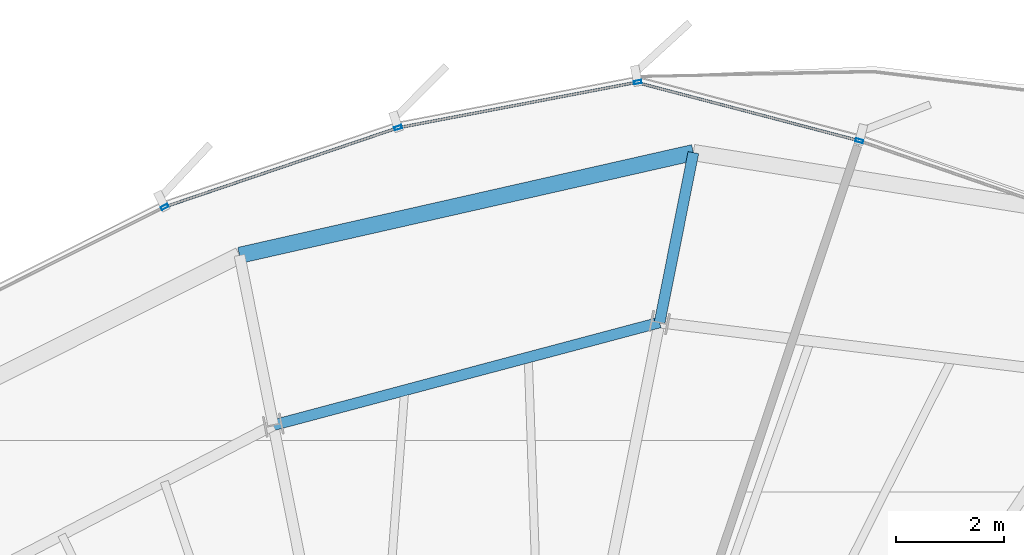
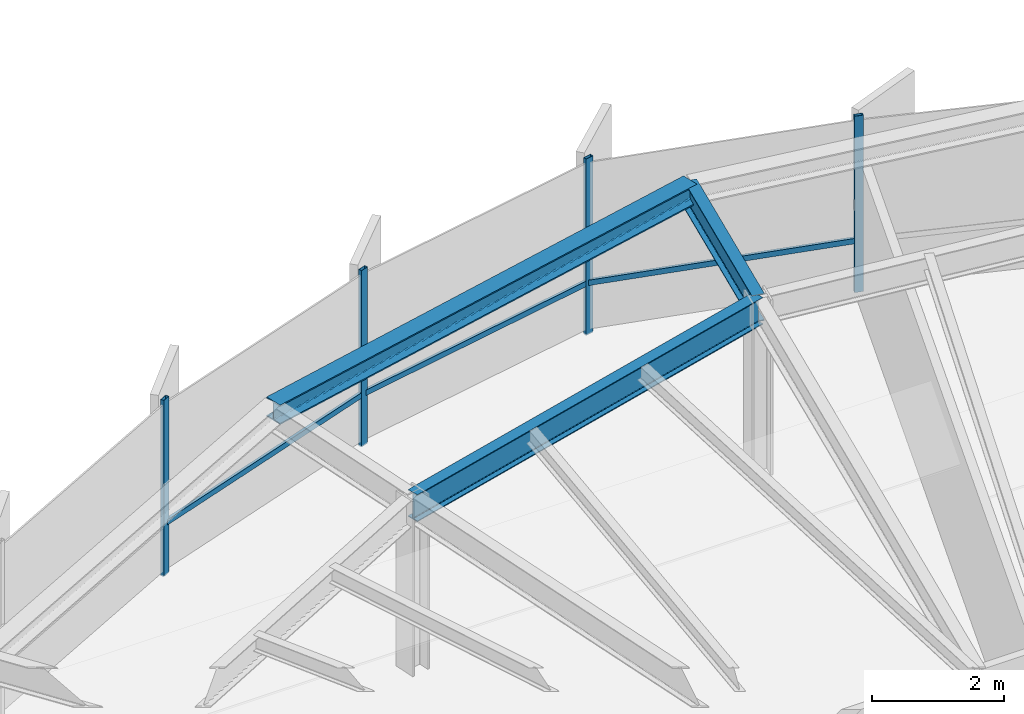
# One storey, part 23 of 34: 7 members, 3 beams, 1 element without a shape of its own.
"""IFC4 building model written with IfcOpenShell, lengths in metres."""

from ifc_helpers import new_model, si_unit, direction, frame, origin, origin_2d, place, context, subcontext, project, spatial, hollow_rectangle, i_section, extrude, source, transform, mapped, material, layer, layer_set, material_profile, profile_set, type_object, element, aggregate, save


model = new_model("IFC4")

# Units and contexts
model_context = context("Model", 3, precision=1e-05, world=origin(), true_north=direction((0.0, 1.0)))
body_context = subcontext(model_context, "Body", "Model", "MODEL_VIEW")
ifc_project = project(units=[si_unit("LENGTHUNIT", "METRE"), si_unit("AREAUNIT", "SQUARE_METRE"), si_unit("VOLUMEUNIT", "CUBIC_METRE"), si_unit("PLANEANGLEUNIT", "RADIAN"), si_unit("MASSUNIT", "GRAM", prefix="KILO"), si_unit("THERMODYNAMICTEMPERATUREUNIT", "KELVIN")], contexts=[model_context])

# Site, building, storey
site_placement = place(None, origin())
site = spatial("IfcSite", under=ifc_project, at=site_placement, CompositionType="ELEMENT")
building_placement = place(site_placement, origin())
building = spatial("IfcBuilding", under=site, at=building_placement, Name="Kethvar Cultural Tower", CompositionType="ELEMENT")
storey_placement = place(building_placement, frame((0.0, 0.0, 190.39990234375)))
storey = spatial("IfcBuildingStorey", under=building, at=storey_placement, Name="L49", CompositionType="ELEMENT", Elevation=190.39990234375)

# Beams
ifc_material_1 = material(Name="Steel S355J2", Category="steel")
ifc_material_profile_1 = material_profile(ifc_material_1, i_section(OverallWidth=0.199951171875, OverallDepth=0.5, WebThickness=0.01025390625, FlangeThickness=0.01611328125, FilletRadius=0.02099609375, at=origin_2d()), Name="Steel S355J2 — IPE500")
ifc_profile_set_1 = profile_set([ifc_material_profile_1], Name="Steel S355J2 — IPE500")
beam_type_1 = type_object("IfcBeamType", Name="BM-IPE500", PredefinedType="BEAM", material=ifc_profile_set_1)
shared_shape_1 = source(origin(), body_context, "Body", "SweptSolid", [
    extrude(i_section(OverallWidth=0.199951171875, OverallDepth=0.5, WebThickness=0.01025390625, FlangeThickness=0.01611328125, FilletRadius=0.02099609375, at=origin_2d()), origin(), (0.0, 0.0, 1.0), 3.199951171875),
])
beam_1_placement = place(storey_placement, frame((50.556884765625, 46.6875, 3.008056640625), z_axis=(0.195088965533, 0.980785550224, 0.0), x_axis=(-0.980785550224, 0.195088965533, 0.0)))
element("IfcBeam", 1, at=beam_1_placement, inside=storey, type_object=beam_type_1, Name="L49 Perimeter Cantilever Beam RC-04", PredefinedType="BEAM", context=body_context, shape_type="MappedRepresentation", body=[
    mapped(shared_shape_1, transform((0.0, 0.0, 0.0), scale=1.0)),
])
shared_shape_2 = source(origin(), body_context, "Body", "SweptSolid", [
    extrude(i_section(OverallWidth=0.199951171875, OverallDepth=0.5, WebThickness=0.01025390625, FlangeThickness=0.01611328125, FilletRadius=0.02099609375, at=origin_2d()), origin(), (0.0, 0.0, 1.0), 7.38427734375),
])
beam_2_placement = place(storey_placement, frame((50.556884765625, 46.6875, 3.008056640625), z_axis=(-0.966396628298, -0.257055552002, 0.0), x_axis=(0.257055552002, -0.966396628298, 0.0)))
element("IfcBeam", 2, at=beam_2_placement, inside=storey, type_object=beam_type_1, Name="L49 Column Ring Tie Beam CR-04", PredefinedType="BEAM", context=body_context, shape_type="MappedRepresentation", body=[
    mapped(shared_shape_2, transform((0.0, 0.0, 0.0), scale=1.0)),
])
ifc_material_profile_2 = material_profile(ifc_material_1, i_section(OverallWidth=0.300048828125, OverallDepth=0.360107421875, WebThickness=0.012451171875, FlangeThickness=0.0224609375, FilletRadius=0.027099609375, at=origin_2d()), Name="Steel S355J2 — HEB360")
ifc_profile_set_2 = profile_set([ifc_material_profile_2], Name="Steel S355J2 — HEB360")
beam_type_2 = type_object("IfcBeamType", Name="BM-SP360", PredefinedType="SPANDREL", material=ifc_profile_set_2)
shared_shape_3 = source(origin(), body_context, "Body", "SweptSolid", [
    extrude(i_section(OverallWidth=0.300048828125, OverallDepth=0.360107421875, WebThickness=0.012451171875, FlangeThickness=0.0224609375, FilletRadius=0.027099609375, at=origin_2d()), origin(), (0.0, 0.0, 1.0), 8.596923828125),
])
beam_3_placement = place(storey_placement, frame((51.18115234375, 49.825927734375, 3.078125), z_axis=(-0.975319414912, -0.2207986388, 0.0), x_axis=(0.2207986388, -0.975319414912, 0.0)))
element("IfcBeam", 3, at=beam_3_placement, inside=storey, type_object=beam_type_2, Name="L49 Perimeter Spandrel Beam SP-04", PredefinedType="SPANDREL", context=body_context, shape_type="MappedRepresentation", body=[
    mapped(shared_shape_3, transform((0.0, 0.0, 0.0), scale=1.0)),
])

# Curtain wall, members
ifc_material_2 = material(Name="Aluminium 6063-T6", Category="aluminium")
ifc_layer = layer(ifc_material_2, 0.179931640625, Name="Aluminium 6063-T6", Category="aluminium")
ifc_layer_set = layer_set([ifc_layer], Name="Aluminium 6063-T6 (180 mm)")
curtain_wall_type = type_object("IfcCurtainWallType", Name="CW-SYS-04-Z34", PredefinedType="NOTDEFINED", material=ifc_layer_set)
curtain_wall_placement = place(storey_placement, origin())
curtain_wall = element("IfcCurtainWall", 4, at=curtain_wall_placement, inside=storey, type_object=curtain_wall_type, Name="L49 Curtain Wall Run 02", PredefinedType="NOTDEFINED")
ifc_material_profile_3 = material_profile(ifc_material_2, hollow_rectangle(XDim=0.06005859375, YDim=0.139892578125, WallThickness=0.0048828125, at=origin_2d()), Name="Aluminium 6063-T6 — RHS140x60x5")
ifc_profile_set_3 = profile_set([ifc_material_profile_3], Name="Aluminium 6063-T6 — RHS140x60x5")
member_type_1 = type_object("IfcMemberType", Name="CW-SYS-04-Z34-MUL", PredefinedType="MULLION", material=ifc_profile_set_3)
shared_shape_4 = source(origin(), body_context, "Body", "SweptSolid", [
    extrude(hollow_rectangle(XDim=0.06005859375, YDim=0.139892578125, WallThickness=0.0048828125, at=origin_2d()), origin(), (0.0, 0.0, 1.0), 3.260009765625),
])
member_1_placement = place(storey_placement, frame((54.2470703125, 50.043701171875, 0.0), z_axis=(0.0, 0.0, 1.0), x_axis=(-0.253403405401, -0.967360694949, 0.0)))
member_1 = element("IfcMember", 5, at=member_1_placement, type_object=member_type_1, Name="CW-L49-R02 Mullion 3", PredefinedType="MULLION", context=body_context, shape_type="MappedRepresentation", body=[
    mapped(shared_shape_4, transform((0.0, 0.0, 0.0), scale=1.0)),
])
member_2_placement = place(storey_placement, frame((50.151123046875, 51.127685546875, 0.0), z_axis=(0.0, 0.0, 1.0), x_axis=(0.187295593139, -0.982303599093, 0.0)))
member_2 = element("IfcMember", 6, at=member_2_placement, type_object=member_type_1, Name="CW-L49-R02 Mullion 4", PredefinedType="MULLION", context=body_context, shape_type="MappedRepresentation", body=[
    mapped(shared_shape_4, transform((0.0, 0.0, 0.0), scale=1.0)),
])
member_3_placement = place(storey_placement, frame((45.72607421875, 50.28515625, 0.0), z_axis=(0.0, 0.0, 1.0), x_axis=(0.321439465303, -0.946930129495, 0.0)))
member_3 = element("IfcMember", 7, at=member_3_placement, type_object=member_type_1, Name="CW-L49-R02 Mullion 5", PredefinedType="MULLION", context=body_context, shape_type="MappedRepresentation", body=[
    mapped(shared_shape_4, transform((0.0, 0.0, 0.0), scale=1.0)),
])
member_4_placement = place(storey_placement, frame((41.414306640625, 48.822509765625, 0.0), z_axis=(0.0, 0.0, 1.0), x_axis=(0.447946349242, -0.894060438785, 0.0)))
member_4 = element("IfcMember", 8, at=member_4_placement, type_object=member_type_1, Name="CW-L49-R02 Mullion 6", PredefinedType="MULLION", context=body_context, shape_type="MappedRepresentation", body=[
    mapped(shared_shape_4, transform((0.0, 0.0, 0.0), scale=1.0)),
])
ifc_material_profile_4 = material_profile(ifc_material_2, hollow_rectangle(XDim=0.050048828125, YDim=0.10009765625, WallThickness=0.00390625, at=origin_2d()), Name="Aluminium 6063-T6 — RHS100x50x4")
ifc_profile_set_4 = profile_set([ifc_material_profile_4], Name="Aluminium 6063-T6 — RHS100x50x4")
member_type_2 = type_object("IfcMemberType", Name="CW-SYS-04-Z34-TRN", PredefinedType="USERDEFINED", material=ifc_profile_set_4)
shared_shape_5 = source(origin(), body_context, "Body", "SweptSolid", [
    extrude(hollow_rectangle(XDim=0.050048828125, YDim=0.10009765625, WallThickness=0.00390625, at=origin_2d()), origin(), (0.0, 0.0, 1.0), 4.197998046875),
])
member_5_placement = place(storey_placement, frame((54.205322265625, 50.0546875, 0.9501953125), z_axis=(-0.967365435606, 0.253385307379, 0.0), x_axis=(-0.253385307379, -0.967365435606, 0.0)))
member_5 = element("IfcMember", 9, at=member_5_placement, type_object=member_type_2, Name="CW-L49-R02 Transom 3", ObjectType="TRANSOM", PredefinedType="USERDEFINED", context=body_context, shape_type="MappedRepresentation", body=[
    mapped(shared_shape_5, transform((0.0, 0.0, 0.0), scale=1.0)),
])
shared_shape_6 = source(origin(), body_context, "Body", "SweptSolid", [
    extrude(hollow_rectangle(XDim=0.050048828125, YDim=0.10009765625, WallThickness=0.00390625, at=origin_2d()), origin(), (0.0, 0.0, 1.0), 4.433349609375),
])
member_6_placement = place(storey_placement, frame((50.108642578125, 51.11962890625, 0.9501953125), z_axis=(-0.982305293129, -0.187286708259, 0.0), x_axis=(0.187286708259, -0.982305293129, 0.0)))
member_6 = element("IfcMember", 10, at=member_6_placement, type_object=member_type_2, Name="CW-L49-R02 Transom 4", ObjectType="TRANSOM", PredefinedType="USERDEFINED", context=body_context, shape_type="MappedRepresentation", body=[
    mapped(shared_shape_6, transform((0.0, 0.0, 0.0), scale=1.0)),
])
shared_shape_7 = source(origin(), body_context, "Body", "SweptSolid", [
    extrude(hollow_rectangle(XDim=0.050048828125, YDim=0.10009765625, WallThickness=0.00390625, at=origin_2d()), origin(), (0.0, 0.0, 1.0), 4.481689453125),
])
member_7_placement = place(storey_placement, frame((45.685302734375, 50.271240234375, 0.9501953125), z_axis=(-0.946925708634, -0.321452488446, 0.0), x_axis=(0.321452488446, -0.946925708634, 0.0)))
member_7 = element("IfcMember", 11, at=member_7_placement, type_object=member_type_2, Name="CW-L49-R02 Transom 5", ObjectType="TRANSOM", PredefinedType="USERDEFINED", context=body_context, shape_type="MappedRepresentation", body=[
    mapped(shared_shape_7, transform((0.0, 0.0, 0.0), scale=1.0)),
])
aggregate(curtain_wall, [member_1, member_2, member_3, member_4, member_5, member_6, member_7])

save(model, "model.ifc")
